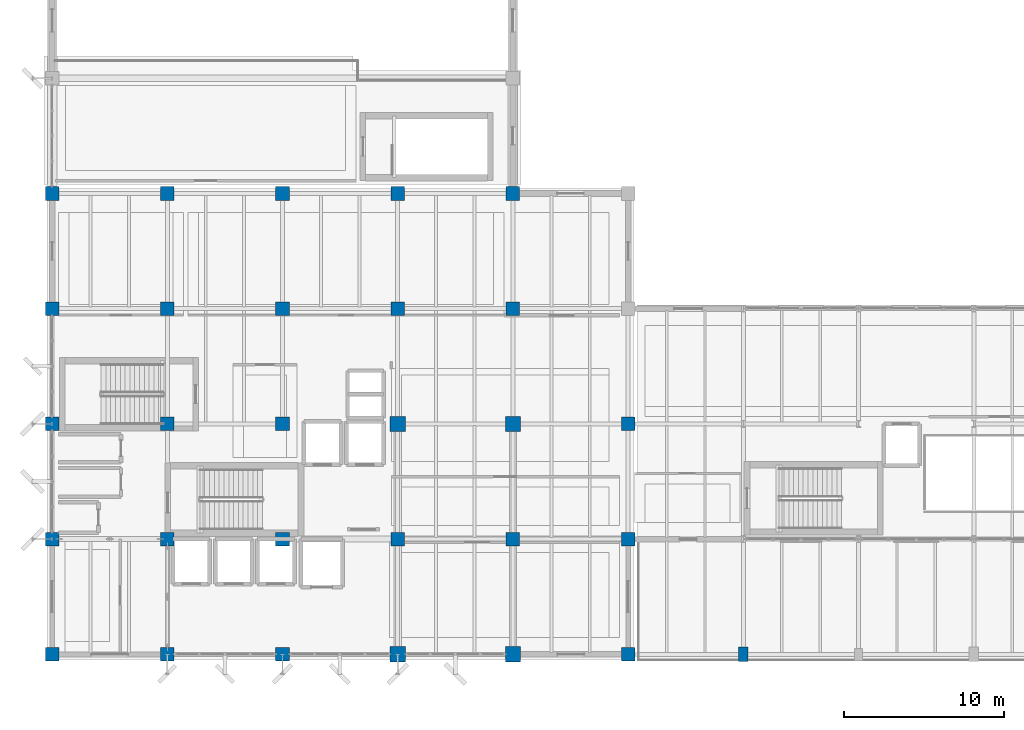
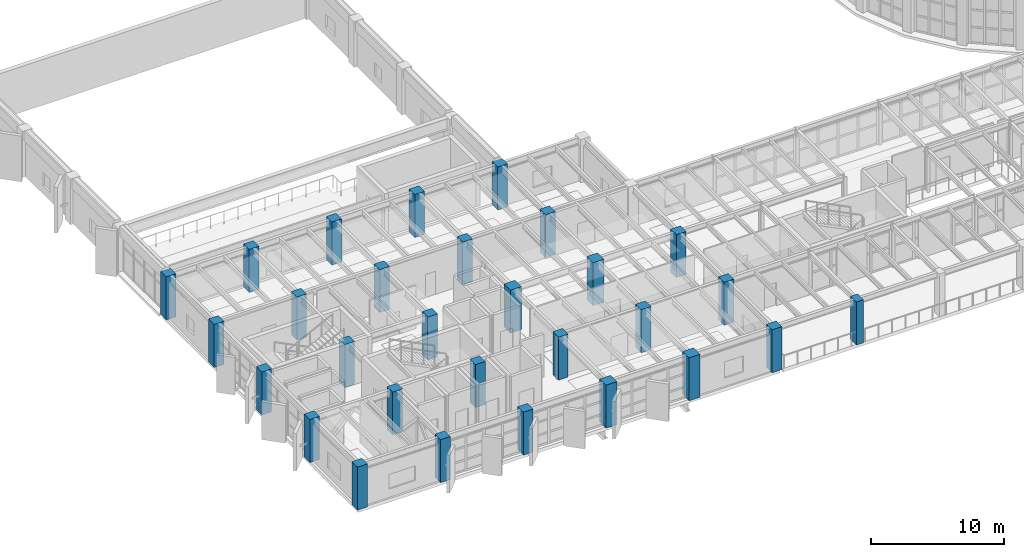
# One storey, part 1 of 59: 29 columns.
"""IFC4 building model written with IfcOpenShell, lengths in metres."""

from ifc_helpers import new_model, si_unit, direction, frame, origin, origin_2d, place, context, subcontext, project, spatial, rectangle, extrude, material, material_profile, profile_set, type_object, element, save


model = new_model("IFC4")

# Units and contexts
model_context = context("Model", 3, precision=1e-05, world=origin(), true_north=direction((0.0, 1.0)))
body_context = subcontext(model_context, "Body", "Model", "MODEL_VIEW")
ifc_project = project(units=[si_unit("LENGTHUNIT", "METRE"), si_unit("AREAUNIT", "SQUARE_METRE"), si_unit("VOLUMEUNIT", "CUBIC_METRE"), si_unit("PLANEANGLEUNIT", "RADIAN"), si_unit("MASSUNIT", "GRAM", prefix="KILO")], contexts=[model_context])

# Site, building, storey
site_placement = place(None, origin())
site = spatial("IfcSite", under=ifc_project, at=site_placement, CompositionType="ELEMENT")
building_placement = place(site_placement, origin())
building = spatial("IfcBuilding", under=site, at=building_placement, Name="Kandorven Conservatory and Botanical Research Centre", CompositionType="ELEMENT")
storey_placement = place(building_placement, frame((0.0, 0.0, 4.800048828125)))
storey = spatial("IfcBuildingStorey", under=building, at=storey_placement, Name="L01", CompositionType="ELEMENT", Elevation=4.800048828125)

# Columns
ifc_material_1 = material(Name="Concrete C40/50 (M50)", Category="concrete")
ifc_material_profile_1 = material_profile(ifc_material_1, rectangle(XDim=0.60009765625, YDim=0.89990234375, at=origin_2d()))
ifc_profile_set_1 = profile_set([ifc_material_profile_1], Name="Concrete C40/50 (M50)")
column_type_1 = type_object("IfcColumnType", Name="Col_AC-02", PredefinedType="PILASTER", material=ifc_profile_set_1)
column_placement = place(storey_placement, frame((49.199951171875, 6.0, 0.0), z_axis=(0.0, 0.0, 1.0), x_axis=(1.0, 0.0, 0.0)))
element("IfcColumn", 1, at=column_placement, inside=storey, type_object=column_type_1, Name="Column AC-02 VIS L01 (2,1)", PredefinedType="PILASTER", context=body_context, shape_type="SweptSolid", body=[
    extrude(rectangle(XDim=0.60009765625, YDim=0.89990234375, at=origin_2d()), origin(), (0.0, 0.0, 1.0), 3.949951171875),
])
ifc_material_2 = material(Name="Concrete C40/50 (M50)", Category="concrete")
ifc_material_profile_2 = material_profile(ifc_material_2, rectangle(XDim=0.949951171875, YDim=0.949951171875, at=origin_2d()))
ifc_profile_set_2 = profile_set([ifc_material_profile_2], Name="Concrete C40/50 (M50)")
column_type_2 = type_object("IfcColumnType", Name="Col_TC-01", PredefinedType="COLUMN", material=ifc_profile_set_2)
for number, where, z_axis, x_axis, name in (
    (2, (27.60009765625, 6.0, 0.0), (0.0, 0.0, 1.0), (1.0, 0.0, 0.0), "Column TC-01 TWR L01 (4,1)"),
    (3, (27.60009765625, 20.39990234375, 0.0), (0.0, 0.0, 1.0), (1.0, 0.0, 0.0), "Column TC-01 TWR L01 (4,3)"),
    (4, (34.800048828125, 6.0, 0.0), (0.0, 0.0, 1.0), (1.0, 0.0, 0.0), "Column TC-01 TWR L01 (5,1)"),
    (5, (34.800048828125, 20.39990234375, 0.0), (0.0, 0.0, 1.0), (1.0, 0.0, 0.0), "Column TC-01 TWR L01 (5,3)"),
):
    element("IfcColumn", number, at=place(storey_placement, frame(where, z_axis=z_axis, x_axis=x_axis)), inside=storey, type_object=column_type_2, Name=name, PredefinedType="COLUMN", context=body_context, shape_type="SweptSolid", body=[
        extrude(rectangle(XDim=0.949951171875, YDim=0.949951171875, at=origin_2d()), origin(), (0.0, 0.0, 1.0), 3.949951171875),
    ])
ifc_material_3 = material(Name="Concrete C40/50 (M50)", Category="concrete")
ifc_material_profile_3 = material_profile(ifc_material_3, rectangle(XDim=0.85009765625, YDim=0.85009765625, at=origin_2d()))
ifc_profile_set_3 = profile_set([ifc_material_profile_3], Name="Concrete C40/50 (M50)")
column_type_3 = type_object("IfcColumnType", Name="Col_TC-02", PredefinedType="COLUMN", material=ifc_profile_set_3)
for number, where, z_axis, x_axis, name in (
    (6, (6.0, 6.0, 0.0), (0.0, 0.0, 1.0), (1.0, 0.0, 0.0), "Column TC-02 TWR L01 (1,1)"),
    (7, (6.0, 13.199951171875, 0.0), (0.0, 0.0, 1.0), (1.0, 0.0, 0.0), "Column TC-02 TWR L01 (1,2)"),
    (8, (6.0, 20.39990234375, 0.0), (0.0, 0.0, 1.0), (1.0, 0.0, 0.0), "Column TC-02 TWR L01 (1,3)"),
    (9, (6.0, 27.60009765625, 0.0), (0.0, 0.0, 1.0), (1.0, 0.0, 0.0), "Column TC-02 TWR L01 (1,4)"),
    (10, (6.0, 34.800048828125, 0.0), (0.0, 0.0, 1.0), (1.0, 0.0, 0.0), "Column TC-02 TWR L01 (1,5)"),
    (11, (13.199951171875, 6.0, 0.0), (0.0, 0.0, 1.0), (1.0, 0.0, 0.0), "Column TC-02 TWR L01 (2,1)"),
    (12, (13.199951171875, 13.199951171875, 0.0), (0.0, 0.0, 1.0), (1.0, 0.0, 0.0), "Column TC-02 TWR L01 (2,2)"),
    (13, (13.199951171875, 20.39990234375, 0.0), (0.0, 0.0, 1.0), (1.0, 0.0, 0.0), "Column TC-02 TWR L01 (2,3)"),
    (14, (13.199951171875, 27.60009765625, 0.0), (0.0, 0.0, 1.0), (1.0, 0.0, 0.0), "Column TC-02 TWR L01 (2,4)"),
    (15, (13.199951171875, 34.800048828125, 0.0), (0.0, 0.0, 1.0), (1.0, 0.0, 0.0), "Column TC-02 TWR L01 (2,5)"),
    (16, (20.39990234375, 6.0, 0.0), (0.0, 0.0, 1.0), (1.0, 0.0, 0.0), "Column TC-02 TWR L01 (3,1)"),
    (17, (20.39990234375, 13.199951171875, 0.0), (0.0, 0.0, 1.0), (1.0, 0.0, 0.0), "Column TC-02 TWR L01 (3,2)"),
    (18, (20.39990234375, 20.39990234375, 0.0), (0.0, 0.0, 1.0), (1.0, 0.0, 0.0), "Column TC-02 TWR L01 (3,3)"),
    (19, (20.39990234375, 27.60009765625, 0.0), (0.0, 0.0, 1.0), (1.0, 0.0, 0.0), "Column TC-02 TWR L01 (3,4)"),
    (20, (20.39990234375, 34.800048828125, 0.0), (0.0, 0.0, 1.0), (1.0, 0.0, 0.0), "Column TC-02 TWR L01 (3,5)"),
    (21, (27.60009765625, 13.199951171875, 0.0), (0.0, 0.0, 1.0), (1.0, 0.0, 0.0), "Column TC-02 TWR L01 (4,2)"),
    (22, (27.60009765625, 27.60009765625, 0.0), (0.0, 0.0, 1.0), (1.0, 0.0, 0.0), "Column TC-02 TWR L01 (4,4)"),
    (23, (27.60009765625, 34.800048828125, 0.0), (0.0, 0.0, 1.0), (1.0, 0.0, 0.0), "Column TC-02 TWR L01 (4,5)"),
    (24, (34.800048828125, 13.199951171875, 0.0), (0.0, 0.0, 1.0), (1.0, 0.0, 0.0), "Column TC-02 TWR L01 (5,2)"),
    (25, (34.800048828125, 27.60009765625, 0.0), (0.0, 0.0, 1.0), (1.0, 0.0, 0.0), "Column TC-02 TWR L01 (5,4)"),
    (26, (34.800048828125, 34.800048828125, 0.0), (0.0, 0.0, 1.0), (1.0, 0.0, 0.0), "Column TC-02 TWR L01 (5,5)"),
    (27, (42.0, 6.0, 0.0), (0.0, 0.0, 1.0), (1.0, 0.0, 0.0), "Column TC-02 TWR L01 (6,1)"),
    (28, (42.0, 13.199951171875, 0.0), (0.0, 0.0, 1.0), (1.0, 0.0, 0.0), "Column TC-02 TWR L01 (6,2)"),
    (29, (42.0, 20.39990234375, 0.0), (0.0, 0.0, 1.0), (1.0, 0.0, 0.0), "Column TC-02 TWR L01 (6,3)"),
):
    element("IfcColumn", number, at=place(storey_placement, frame(where, z_axis=z_axis, x_axis=x_axis)), inside=storey, type_object=column_type_3, Name=name, PredefinedType="COLUMN", context=body_context, shape_type="SweptSolid", body=[
        extrude(rectangle(XDim=0.85009765625, YDim=0.85009765625, at=origin_2d()), origin(), (0.0, 0.0, 1.0), 3.949951171875),
    ])

save(model, "model.ifc")
